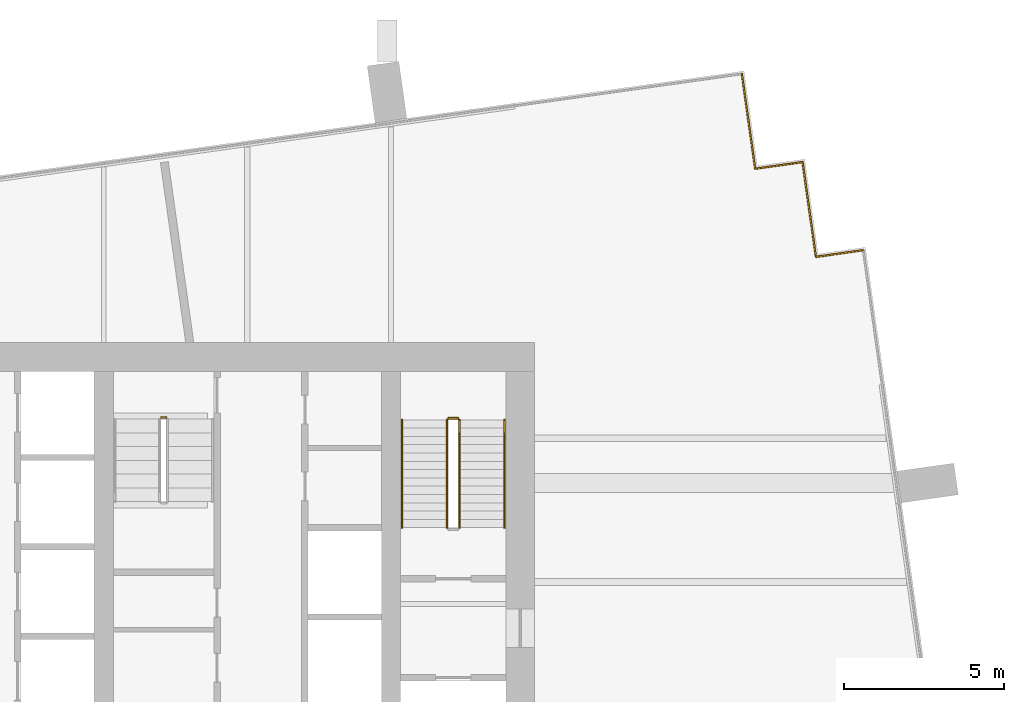
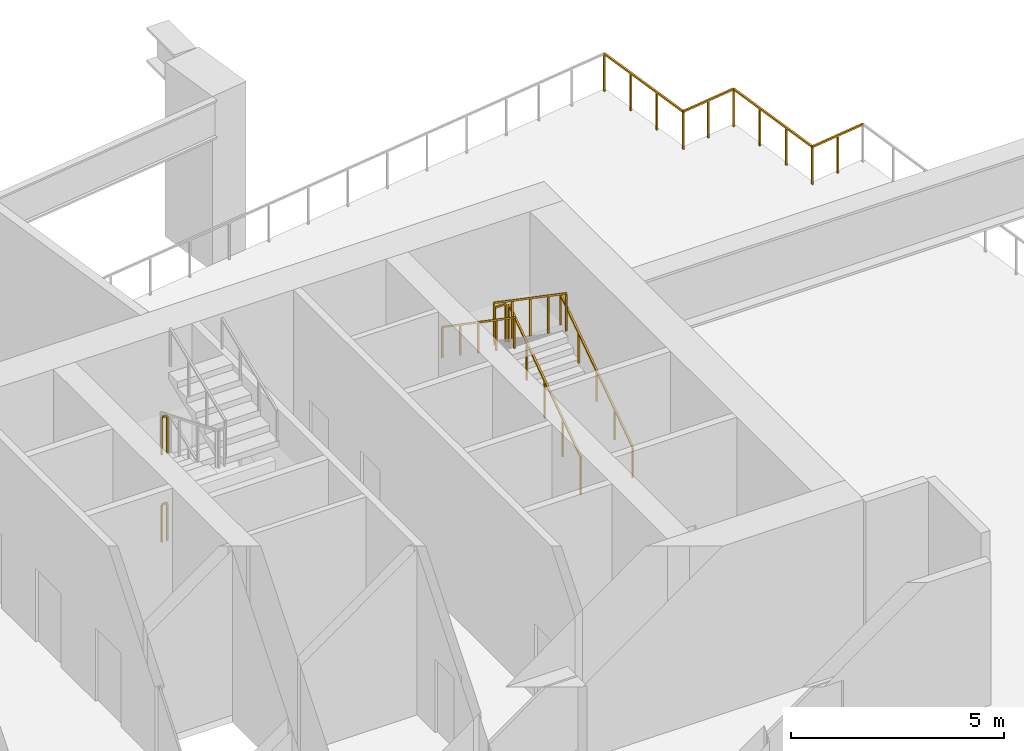
# One storey, part 10 of 10: 11 railings.
"""IFC4 building model written with IfcOpenShell, lengths in metres."""

from ifc_helpers import new_model, si_unit, direction, frame, origin, origin_2d, place, context, subcontext, project, spatial, rectangle, extrude, material, type_object, element, save


model = new_model("IFC4")

# Units and contexts
model_context = context("Model", 3, precision=1e-05, world=origin(), true_north=direction((0.0, 1.0)))
body_context = subcontext(model_context, "Body", "Model", "MODEL_VIEW")
ifc_project = project(units=[si_unit("LENGTHUNIT", "METRE"), si_unit("AREAUNIT", "SQUARE_METRE"), si_unit("VOLUMEUNIT", "CUBIC_METRE"), si_unit("PLANEANGLEUNIT", "RADIAN"), si_unit("MASSUNIT", "GRAM", prefix="KILO")], contexts=[model_context])

# Site, building, storey
site_placement = place(None, origin())
site = spatial("IfcSite", under=ifc_project, at=site_placement, CompositionType="ELEMENT")
building_placement = place(site_placement, origin())
building = spatial("IfcBuilding", under=site, at=building_placement, Name="Rattan Terrace Tower", CompositionType="ELEMENT")
storey_placement = place(building_placement, frame((0.0, 0.0, 244.699951171875)))
storey = spatial("IfcBuildingStorey", under=building, at=storey_placement, Name="L56", CompositionType="ELEMENT", Elevation=244.699951171875)

# Railings
ifc_material_1 = material(Name="Powder-coated steel guard", Category="steel")
railing_type_1 = type_object("IfcRailingType", Name="Core stair guard", PredefinedType="GUARDRAIL", material=ifc_material_1)
railing_1_placement = place(storey_placement, frame((15.64990234375, 1.699951171875, 0.1787109375)))
element("IfcRailing", 1, at=railing_1_placement, inside=storey, type_object=railing_type_1, Name="L56 S2 stair guard 1", PredefinedType="GUARDRAIL", context=body_context, shape_type="SweptSolid", body=[
    extrude(rectangle(XDim=0.048095703125, YDim=0.048095703125, at=origin_2d()), frame((0.0, 0.0, 1.076171875), z_axis=(0.0, 0.824331935682, 0.566106756552), x_axis=(-1.0, 0.0, 0.0)), (0.0, 0.0, 1.0), 4.100341796875),
    extrude(rectangle(XDim=0.0419921875, YDim=0.0419921875, at=origin_2d()), origin(), (0.0, 0.0, 1.0), 1.052001953125),
    extrude(rectangle(XDim=0.0419921875, YDim=0.0419921875, at=origin_2d()), frame((0.0, 0.844970703125, 0.580322265625)), (0.0, 0.0, 1.0), 1.052001953125),
    extrude(rectangle(XDim=0.0419921875, YDim=0.0419921875, at=origin_2d()), frame((0.0, 1.68994140625, 1.16064453125)), (0.0, 0.0, 1.0), 1.052001953125),
    extrude(rectangle(XDim=0.0419921875, YDim=0.0419921875, at=origin_2d()), frame((0.0, 2.53515625, 1.740966796875)), (0.0, 0.0, 1.0), 1.052001953125),
    extrude(rectangle(XDim=0.0419921875, YDim=0.0419921875, at=origin_2d()), frame((0.0, 3.380126953125, 2.3212890625)), (0.0, 0.0, 1.0), 1.052001953125),
])
railing_2_placement = place(storey_placement, frame((15.60009765625, 5.1298828125, 2.5)))
element("IfcRailing", 2, at=railing_2_placement, inside=storey, type_object=railing_type_1, Name="L56 S2 stair guard 2", PredefinedType="GUARDRAIL", context=body_context, shape_type="SweptSolid", body=[
    extrude(rectangle(XDim=0.048095703125, YDim=0.048095703125, at=origin_2d()), frame((0.0, 0.0, 1.076171875), z_axis=(-1.0, 0.0, 0.0), x_axis=(0.0, -1.0, 0.0)), (0.0, 0.0, 1.0), 0.300048828125),
    extrude(rectangle(XDim=0.0419921875, YDim=0.0419921875, at=origin_2d()), origin(), (0.0, 0.0, 1.0), 1.052001953125),
    extrude(rectangle(XDim=0.0419921875, YDim=0.0419921875, at=origin_2d()), frame((-0.300048828125, 0.0, 0.0)), (0.0, 0.0, 1.0), 1.052001953125),
])
railing_3_placement = place(storey_placement, frame((15.25, 5.080078125, 2.6787109375)))
element("IfcRailing", 3, at=railing_3_placement, inside=storey, type_object=railing_type_1, Name="L56 S2 stair guard 3", PredefinedType="GUARDRAIL", context=body_context, shape_type="SweptSolid", body=[
    extrude(rectangle(XDim=0.048095703125, YDim=0.048095703125, at=origin_2d()), frame((0.0, 0.0, 1.076171875), z_axis=(0.0, -0.824331935682, 0.566106756552), x_axis=(1.0, 0.0, 0.0)), (0.0, 0.0, 1.0), 4.100341796875),
    extrude(rectangle(XDim=0.0419921875, YDim=0.0419921875, at=origin_2d()), origin(), (0.0, 0.0, 1.0), 1.052001953125),
    extrude(rectangle(XDim=0.0419921875, YDim=0.0419921875, at=origin_2d()), frame((0.0, -0.844970703125, 0.580322265625)), (0.0, 0.0, 1.0), 1.052001953125),
    extrude(rectangle(XDim=0.0419921875, YDim=0.0419921875, at=origin_2d()), frame((0.0, -1.68994140625, 1.16064453125)), (0.0, 0.0, 1.0), 1.052001953125),
    extrude(rectangle(XDim=0.0419921875, YDim=0.0419921875, at=origin_2d()), frame((0.0, -2.53515625, 1.740966796875)), (0.0, 0.0, 1.0), 1.052001953125),
    extrude(rectangle(XDim=0.0419921875, YDim=0.0419921875, at=origin_2d()), frame((0.0, -3.380126953125, 2.3212890625)), (0.0, 0.0, 1.0), 1.052001953125),
])
for number, where, name in (
    (4, (6.300048828125, 5.14990234375, 2.5), "L56 S3 stair guard 4"),
    (5, (6.300048828125, 5.14990234375, 0.0), "L56 S3 stair guard 8"),
):
    element("IfcRailing", number, at=place(storey_placement, frame(where)), inside=storey, type_object=railing_type_1, Name=name, PredefinedType="GUARDRAIL", context=body_context, shape_type="SweptSolid", body=[
        extrude(rectangle(XDim=0.048095703125, YDim=0.048095703125, at=origin_2d()), frame((0.0, 0.0, 1.076171875), z_axis=(1.0, 0.0, 0.0), x_axis=(0.0, 1.0, 0.0)), (0.0, 0.0, 1.0), 0.14990234375),
        extrude(rectangle(XDim=0.0419921875, YDim=0.0419921875, at=origin_2d()), origin(), (0.0, 0.0, 1.0), 1.052001953125),
        extrude(rectangle(XDim=0.0419921875, YDim=0.0419921875, at=origin_2d()), frame((0.14990234375, 0.0, 0.0)), (0.0, 0.0, 1.0), 1.052001953125),
    ])
ifc_material_2 = material(Name="Powder-coated steel handrail", Category="steel")
railing_type_2 = type_object("IfcRailingType", Name="Core stair handrail", PredefinedType="HANDRAIL", material=ifc_material_2)
railing_4_placement = place(storey_placement, frame((17.050048828125, 1.699951171875, 0.1787109375)))
element("IfcRailing", 6, at=railing_4_placement, inside=storey, type_object=railing_type_2, Name="L56 S2 stair handrail 1", PredefinedType="HANDRAIL", context=body_context, shape_type="SweptSolid", body=[
    extrude(rectangle(XDim=0.048095703125, YDim=0.048095703125, at=origin_2d()), frame((0.0, 0.0, 0.8759765625), z_axis=(0.0, 0.824331935682, 0.566106756552), x_axis=(-1.0, 0.0, 0.0)), (0.0, 0.0, 1.0), 4.100341796875),
    extrude(rectangle(XDim=0.0419921875, YDim=0.0419921875, at=origin_2d()), origin(), (0.0, 0.0, 1.0), 0.851806640625),
    extrude(rectangle(XDim=0.0419921875, YDim=0.0419921875, at=origin_2d()), frame((0.0, 0.844970703125, 0.580322265625)), (0.0, 0.0, 1.0), 0.851806640625),
    extrude(rectangle(XDim=0.0419921875, YDim=0.0419921875, at=origin_2d()), frame((0.0, 1.68994140625, 1.16064453125)), (0.0, 0.0, 1.0), 0.851806640625),
    extrude(rectangle(XDim=0.0419921875, YDim=0.0419921875, at=origin_2d()), frame((0.0, 2.53515625, 1.740966796875)), (0.0, 0.0, 1.0), 0.851806640625),
    extrude(rectangle(XDim=0.0419921875, YDim=0.0419921875, at=origin_2d()), frame((0.0, 3.380126953125, 2.3212890625)), (0.0, 0.0, 1.0), 0.851806640625),
])
railing_5_placement = place(storey_placement, frame((13.85009765625, 5.080078125, 2.6787109375)))
element("IfcRailing", 7, at=railing_5_placement, inside=storey, type_object=railing_type_2, Name="L56 S2 stair handrail 2", PredefinedType="HANDRAIL", context=body_context, shape_type="SweptSolid", body=[
    extrude(rectangle(XDim=0.048095703125, YDim=0.048095703125, at=origin_2d()), frame((0.0, 0.0, 0.8759765625), z_axis=(0.0, -0.824331935682, 0.566106756552), x_axis=(1.0, 0.0, 0.0)), (0.0, 0.0, 1.0), 4.100341796875),
    extrude(rectangle(XDim=0.0419921875, YDim=0.0419921875, at=origin_2d()), origin(), (0.0, 0.0, 1.0), 0.851806640625),
    extrude(rectangle(XDim=0.0419921875, YDim=0.0419921875, at=origin_2d()), frame((0.0, -0.844970703125, 0.580322265625)), (0.0, 0.0, 1.0), 0.851806640625),
    extrude(rectangle(XDim=0.0419921875, YDim=0.0419921875, at=origin_2d()), frame((0.0, -1.68994140625, 1.16064453125)), (0.0, 0.0, 1.0), 0.851806640625),
    extrude(rectangle(XDim=0.0419921875, YDim=0.0419921875, at=origin_2d()), frame((0.0, -2.53515625, 1.740966796875)), (0.0, 0.0, 1.0), 0.851806640625),
    extrude(rectangle(XDim=0.0419921875, YDim=0.0419921875, at=origin_2d()), frame((0.0, -3.380126953125, 2.3212890625)), (0.0, 0.0, 1.0), 0.851806640625),
])
ifc_material_3 = material(Name="Stainless steel 316", Category="steel")
railing_type_3 = type_object("IfcRailingType", Name="Facade Guard 1100", PredefinedType="GUARDRAIL", material=ifc_material_3)
railing_6_placement = place(storey_placement, frame((24.493896484375, 15.9208984375, 0.0)))
element("IfcRailing", 8, at=railing_6_placement, inside=storey, type_object=railing_type_3, Name="Guard L56-12", PredefinedType="GUARDRAIL", context=body_context, shape_type="SweptSolid", body=[
    extrude(rectangle(XDim=0.048095703125, YDim=0.048095703125, at=origin_2d()), frame((0.0, 0.0, 1.076171875), z_axis=(0.139393225799, -0.990237107263, 0.0), x_axis=(0.990237107263, 0.139393225799, 0.0)), (0.0, 0.0, 1.0), 3.000244140625),
    extrude(rectangle(XDim=0.0419921875, YDim=0.0419921875, at=origin_2d()), origin(), (0.0, 0.0, 1.0), 1.052001953125),
    extrude(rectangle(XDim=0.0419921875, YDim=0.0419921875, at=origin_2d()), frame((0.139404296875, -0.990234375, 0.0)), (0.0, 0.0, 1.0), 1.052001953125),
    extrude(rectangle(XDim=0.0419921875, YDim=0.0419921875, at=origin_2d()), frame((0.27880859375, -1.980712890625, 0.0)), (0.0, 0.0, 1.0), 1.052001953125),
])
railing_7_placement = place(storey_placement, frame((24.912109375, 12.949951171875, 0.0)))
element("IfcRailing", 9, at=railing_7_placement, inside=storey, type_object=railing_type_3, Name="Guard L56-13", PredefinedType="GUARDRAIL", context=body_context, shape_type="SweptSolid", body=[
    extrude(rectangle(XDim=0.048095703125, YDim=0.048095703125, at=origin_2d()), frame((0.0, 0.0, 1.076171875), z_axis=(0.990240434918, 0.139369584395, 0.0), x_axis=(-0.139369584395, 0.990240434918, 0.0)), (0.0, 0.0, 1.0), 1.49951171875),
    extrude(rectangle(XDim=0.0419921875, YDim=0.0419921875, at=origin_2d()), origin(), (0.0, 0.0, 1.0), 1.052001953125),
    extrude(rectangle(XDim=0.0419921875, YDim=0.0419921875, at=origin_2d()), frame((0.742431640625, 0.1044921875, 0.0)), (0.0, 0.0, 1.0), 1.052001953125),
])
railing_8_placement = place(storey_placement, frame((26.39697265625, 13.158935546875, 0.0)))
element("IfcRailing", 10, at=railing_8_placement, inside=storey, type_object=railing_type_3, Name="Guard L56-14", PredefinedType="GUARDRAIL", context=body_context, shape_type="SweptSolid", body=[
    extrude(rectangle(XDim=0.048095703125, YDim=0.048095703125, at=origin_2d()), frame((0.0, 0.0, 1.076171875), z_axis=(0.139313431826, -0.990248336385, 0.0), x_axis=(0.990248336385, 0.139313431826, 0.0)), (0.0, 0.0, 1.0), 3.000244140625),
    extrude(rectangle(XDim=0.0419921875, YDim=0.0419921875, at=origin_2d()), origin(), (0.0, 0.0, 1.0), 1.052001953125),
    extrude(rectangle(XDim=0.0419921875, YDim=0.0419921875, at=origin_2d()), frame((0.139404296875, -0.990234375, 0.0)), (0.0, 0.0, 1.0), 1.052001953125),
    extrude(rectangle(XDim=0.0419921875, YDim=0.0419921875, at=origin_2d()), frame((0.278564453125, -1.980712890625, 0.0)), (0.0, 0.0, 1.0), 1.052001953125),
])
railing_9_placement = place(storey_placement, frame((26.81494140625, 10.18798828125, 0.0)))
element("IfcRailing", 11, at=railing_9_placement, inside=storey, type_object=railing_type_3, Name="Guard L56-15", PredefinedType="GUARDRAIL", context=body_context, shape_type="SweptSolid", body=[
    extrude(rectangle(XDim=0.048095703125, YDim=0.048095703125, at=origin_2d()), frame((0.0, 0.0, 1.076171875), z_axis=(0.990243596651, 0.13934711799, 0.0), x_axis=(-0.13934711799, 0.990243596651, 0.0)), (0.0, 0.0, 1.0), 1.499755859375),
    extrude(rectangle(XDim=0.0419921875, YDim=0.0419921875, at=origin_2d()), origin(), (0.0, 0.0, 1.0), 1.052001953125),
    extrude(rectangle(XDim=0.0419921875, YDim=0.0419921875, at=origin_2d()), frame((0.74267578125, 0.1044921875, 0.0)), (0.0, 0.0, 1.0), 1.052001953125),
])

save(model, "model.ifc")
